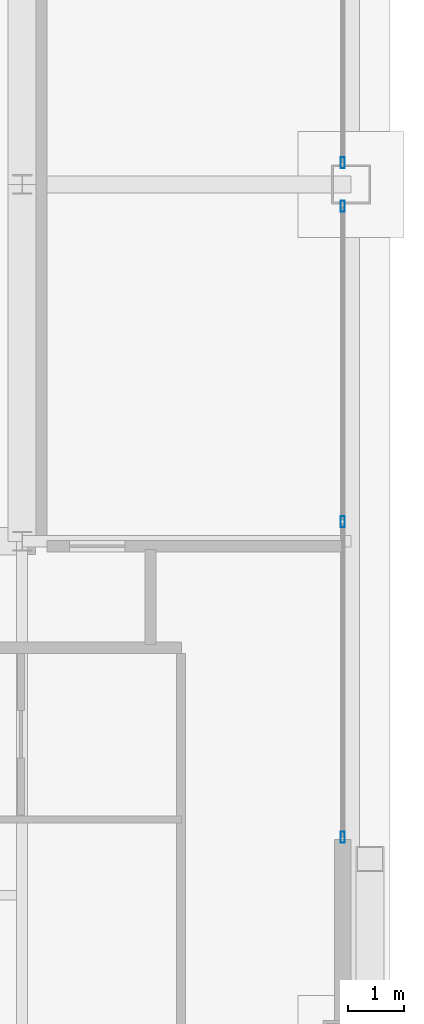
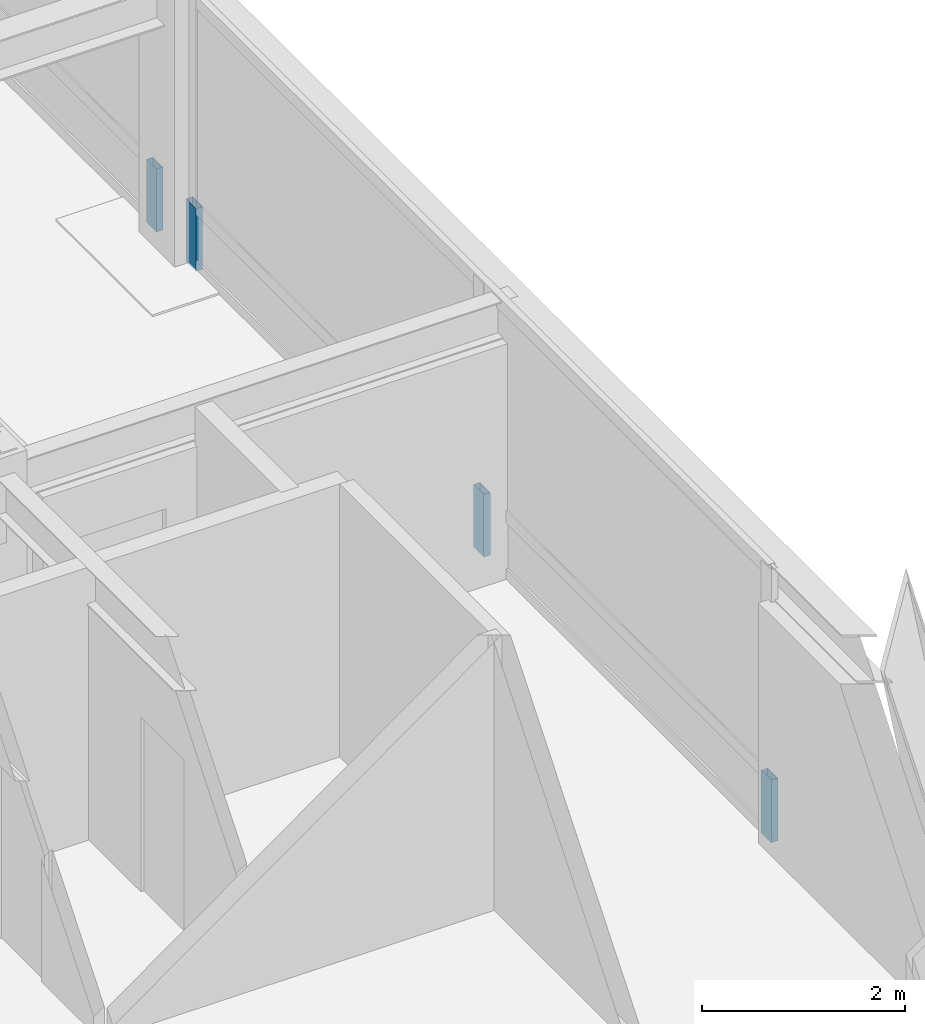
# One storey, part 25 of 35: 4 members, 2 elements without a shape of their own.
"""IFC4 building model written with IfcOpenShell, lengths in metres."""

from ifc_helpers import new_model, si_unit, direction, frame, origin, origin_2d, place, context, subcontext, project, spatial, hollow_rectangle, extrude, source, transform, mapped, material, layer, layer_set, material_profile, profile_set, type_object, element, aggregate, save


model = new_model("IFC4")

# Units and contexts
model_context = context("Model", 3, precision=1e-05, world=origin(), true_north=direction((0.0, 1.0)))
body_context = subcontext(model_context, "Body", "Model", "MODEL_VIEW")
ifc_project = project(units=[si_unit("LENGTHUNIT", "METRE"), si_unit("AREAUNIT", "SQUARE_METRE"), si_unit("VOLUMEUNIT", "CUBIC_METRE"), si_unit("PLANEANGLEUNIT", "RADIAN"), si_unit("MASSUNIT", "GRAM", prefix="KILO"), si_unit("THERMODYNAMICTEMPERATUREUNIT", "KELVIN"), si_unit("POWERUNIT", "WATT")], contexts=[model_context])

# Site, building, storey
site_placement = place(None, origin())
site = spatial("IfcSite", under=ifc_project, at=site_placement, CompositionType="ELEMENT")
building_placement = place(site_placement, origin())
building = spatial("IfcBuilding", under=site, at=building_placement, Name="Yuzanri Waterfront Tower", CompositionType="ELEMENT")
storey_placement = place(building_placement, frame((0.0, 0.0, 285.60009765625)))
storey = spatial("IfcBuildingStorey", under=building, at=storey_placement, Name="L76", CompositionType="ELEMENT", Elevation=285.60009765625)

# Curtain wall, members
ifc_material_1 = material(Name="Anodized Architectural Bronze", Category="metal")
ifc_layer = layer(ifc_material_1, 0.159912109375)
ifc_layer_set = layer_set([ifc_layer], Name="Anodized Architectural Bronze")
curtain_wall_type = type_object("IfcCurtainWallType", Name="Anodized Bronze High-Rise Penthouse High-Wind Unitized Curtain Wall 6900", PredefinedType="NOTDEFINED", material=ifc_layer_set)
curtain_wall_1_placement = place(storey_placement, origin())
curtain_wall_1 = element("IfcCurtainWall", 1, at=curtain_wall_1_placement, inside=storey, type_object=curtain_wall_type, Name="L76 Curtain Wall CW-L76-EL", PredefinedType="NOTDEFINED")
ifc_material_2 = material(Name="Anodized Architectural Bronze", Category="metal")
ifc_material_profile = material_profile(ifc_material_2, hollow_rectangle(XDim=0.074951171875, YDim=0.199951171875, WallThickness=0.00390625, at=origin_2d()), Name="CWM 75x200")
ifc_profile_set = profile_set([ifc_material_profile], Name="Anodized Architectural Bronze")
member_type = type_object("IfcMemberType", Name="Anodized Bronze Primary Curtain-Wall Mullion 75x200", PredefinedType="MULLION", material=ifc_profile_set)
shared_shape = source(origin(), body_context, "Body", "SweptSolid", [
    extrude(hollow_rectangle(XDim=0.074951171875, YDim=0.199951171875, WallThickness=0.00390625, at=origin_2d()), origin(), (0.0, 0.0, 1.0), 0.751953125),
])
member_1_placement = place(storey_placement, frame((55.949951171875, 14.090087890625, 0.0), z_axis=(0.0, 0.0, 1.0), x_axis=(1.0, 0.0, 0.0)))
member_1 = element("IfcMember", 2, at=member_1_placement, type_object=member_type, Name="CW-L76-EL Lower Mullion 00", PredefinedType="MULLION", context=body_context, shape_type="MappedRepresentation", body=[
    mapped(shared_shape, transform((0.0, 0.0, 0.0), scale=1.0)),
])
member_2_placement = place(storey_placement, frame((55.949951171875, 19.75, 0.0), z_axis=(0.0, 0.0, 1.0), x_axis=(1.0, 0.0, 0.0)))
member_2 = element("IfcMember", 3, at=member_2_placement, type_object=member_type, Name="CW-L76-EL Lower Mullion 01", PredefinedType="MULLION", context=body_context, shape_type="MappedRepresentation", body=[
    mapped(shared_shape, transform((0.0, 0.0, 0.0), scale=1.0)),
])
member_3_placement = place(storey_placement, frame((55.949951171875, 25.409912109375, 0.0), z_axis=(0.0, 0.0, 1.0), x_axis=(1.0, 0.0, 0.0)))
member_3 = element("IfcMember", 4, at=member_3_placement, type_object=member_type, Name="CW-L76-EL Lower Mullion 02", PredefinedType="MULLION", context=body_context, shape_type="MappedRepresentation", body=[
    mapped(shared_shape, transform((0.0, 0.0, 0.0), scale=1.0)),
])
aggregate(curtain_wall_1, [member_1, member_2, member_3])

# Curtain wall, member
curtain_wall_2_placement = place(storey_placement, origin())
curtain_wall_2 = element("IfcCurtainWall", 5, at=curtain_wall_2_placement, inside=storey, type_object=curtain_wall_type, Name="L76 Curtain Wall CW-L76-ER", PredefinedType="NOTDEFINED")
member_4_placement = place(storey_placement, frame((55.949951171875, 26.18994140625, 0.0), z_axis=(0.0, 0.0, 1.0), x_axis=(1.0, 0.0, 0.0)))
member_4 = element("IfcMember", 6, at=member_4_placement, type_object=member_type, Name="CW-L76-ER Lower Mullion 00", PredefinedType="MULLION", context=body_context, shape_type="MappedRepresentation", body=[
    mapped(shared_shape, transform((0.0, 0.0, 0.0), scale=1.0)),
])
aggregate(curtain_wall_2, [member_4])

save(model, "model.ifc")
